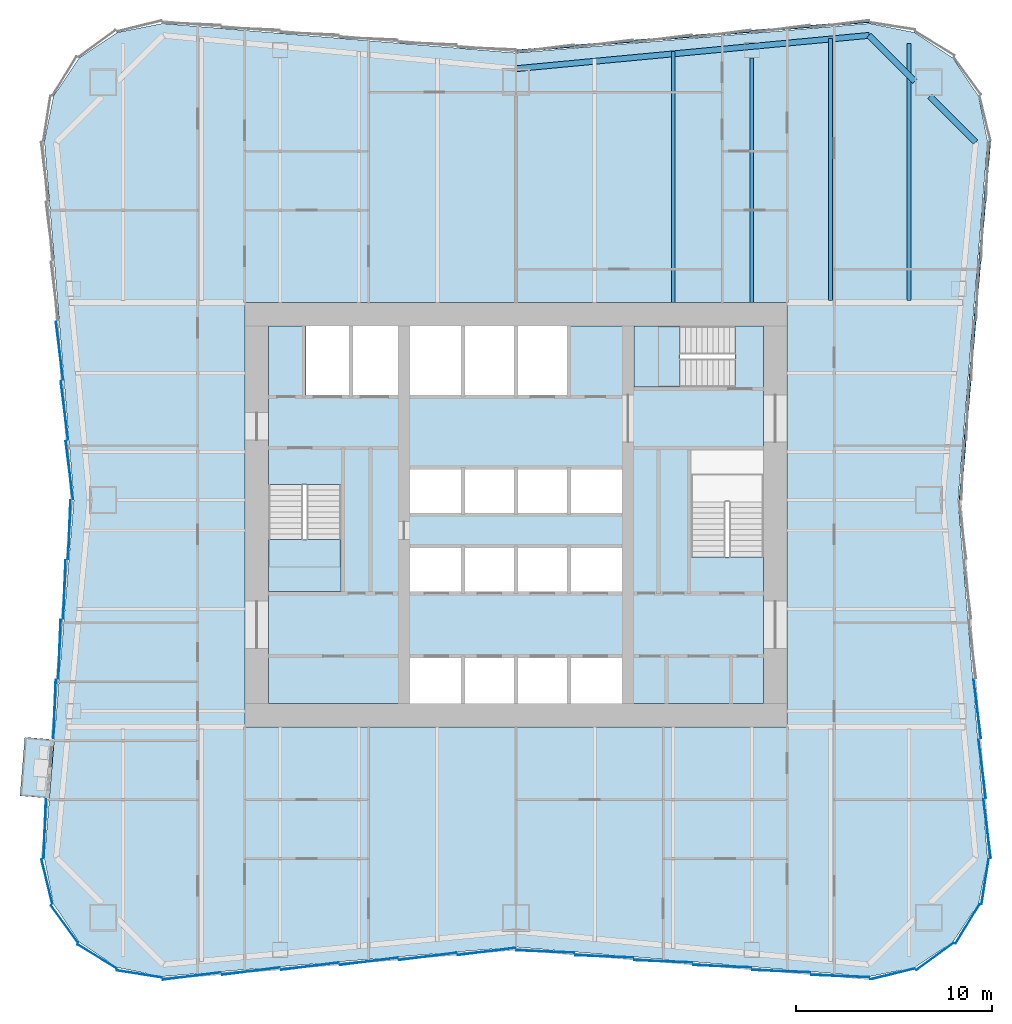
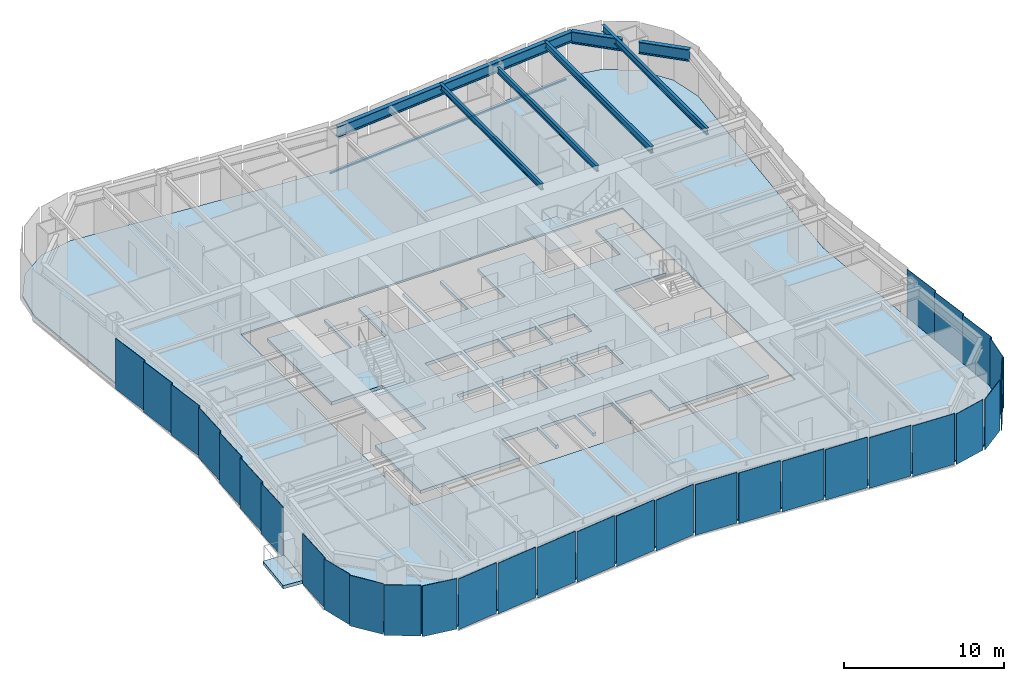
# One storey, part 2 of 9: 31 plates, 7 beams, 5 slabs, 2 members, 8 elements without a shape of their own.
"""IFC4 building model written with IfcOpenShell, lengths in metres."""

from ifc_helpers import new_model, si_unit, direction, frame, origin, origin_2d, place, context, subcontext, project, spatial, polyline, rectangle, i_section, outline, extrude, material, layer, layer_set, material_profile, profile_set, type_object, element, aggregate, save


model = new_model("IFC4")

# Units and contexts
model_context = context("Model", 3, precision=1e-05, world=origin(), true_north=direction((0.0, 1.0)))
body_context = subcontext(model_context, "Body", "Model", "MODEL_VIEW")
ifc_project = project(units=[si_unit("LENGTHUNIT", "METRE"), si_unit("AREAUNIT", "SQUARE_METRE"), si_unit("VOLUMEUNIT", "CUBIC_METRE"), si_unit("PLANEANGLEUNIT", "RADIAN"), si_unit("MASSUNIT", "GRAM", prefix="KILO")], contexts=[model_context])

# Site, building, storey
site_placement = place(None, origin())
site = spatial("IfcSite", under=ifc_project, at=site_placement, CompositionType="ELEMENT")
building_placement = place(site_placement, origin())
building = spatial("IfcBuilding", under=site, at=building_placement, Name="Verdant Reach Tower", CompositionType="ELEMENT")
storey_placement = place(building_placement, frame((0.0, 0.0, 102.0)))
storey = spatial("IfcBuildingStorey", under=building, at=storey_placement, Name="L23", CompositionType="ELEMENT", Elevation=102.0)

# Curtain wall, member
ifc_material_1 = material(Name="Anodised aluminium", Category="aluminium")
curtain_wall_type = type_object("IfcCurtainWallType", Name="EN-CW SYSTEM Z1", PredefinedType="NOTDEFINED", material=ifc_material_1)
curtain_wall_1_placement = place(storey_placement, origin())
curtain_wall_1 = element("IfcCurtainWall", 1, at=curtain_wall_1_placement, inside=storey, type_object=curtain_wall_type, Name="Curtain wall east, L23", PredefinedType="NOTDEFINED")
ifc_material_profile_1 = material_profile(ifc_material_1, rectangle(XDim=0.10009765625, YDim=0.1220703125, at=origin_2d()), Name="Transom 122x100")
ifc_profile_set_1 = profile_set([ifc_material_profile_1], Name="Anodised aluminium")
member_type = type_object("IfcMemberType", Name="EN-TRANSOM Z1", PredefinedType="USERDEFINED", material=ifc_profile_set_1)
member_1_placement = place(storey_placement, frame((22.60546875, 28.781005859375, -0.2890625), z_axis=(0.081886623329, 0.996641651207, 0.0), x_axis=(-0.996641651207, 0.081886623329, 0.0)))
member_1 = element("IfcMember", 2, at=member_1_placement, type_object=member_type, Name="Transom east face part 2 1.1, L23", ObjectType="TRANSOM", PredefinedType="USERDEFINED", context=body_context, shape_type="SweptSolid", body=[
    extrude(rectangle(XDim=0.10009765625, YDim=0.1220703125, at=origin_2d()), origin(), (0.0, 0.0, 1.0), 18.25537109375),
])

curtain_wall_2_placement = place(storey_placement, origin())
curtain_wall_2 = element("IfcCurtainWall", 3, at=curtain_wall_2_placement, inside=storey, type_object=curtain_wall_type, Name="Curtain wall north, L23", PredefinedType="NOTDEFINED")
member_2_placement = place(storey_placement, frame((17.974853515625, 53.100341796875, -0.2890625), z_axis=(-0.996547815143, -0.083020793384, 0.0), x_axis=(0.083020793384, -0.996547815143, 0.0)))
member_2 = element("IfcMember", 4, at=member_2_placement, type_object=member_type, Name="Transom north face part 1 1.1, L23", ObjectType="TRANSOM", PredefinedType="USERDEFINED", context=body_context, shape_type="SweptSolid", body=[
    extrude(rectangle(XDim=0.10009765625, YDim=0.1220703125, at=origin_2d()), origin(), (0.0, 0.0, 1.0), 18.006103515625),
])
aggregate(curtain_wall_2, [member_2])

# Beams
ifc_material_2 = material(Name="Steel S355", Category="steel")
ifc_material_profile_2 = material_profile(ifc_material_2, i_section(OverallWidth=0.18994140625, OverallDepth=0.449951171875, WebThickness=0.009521484375, FlangeThickness=0.0146484375, FilletRadius=0.02099609375, at=origin_2d()), Name="IPE 450")
ifc_profile_set_2 = profile_set([ifc_material_profile_2], Name="Steel S355")
beam_type_1 = type_object("IfcBeamType", Name="ST-JOIST-IPE450", PredefinedType="JOIST", material=ifc_profile_set_2)
beam_1_placement = place(storey_placement, frame((8.0, 38.800048828125, 3.64501953125), z_axis=(0.0, 1.0, 0.0), x_axis=(-1.0, 0.0, 0.0)))
element("IfcBeam", 5, at=beam_1_placement, inside=storey, type_object=beam_type_1, Name="Floor joist, L23", PredefinedType="JOIST", context=body_context, shape_type="SweptSolid", body=[
    extrude(i_section(OverallWidth=0.18994140625, OverallDepth=0.449951171875, WebThickness=0.009521484375, FlangeThickness=0.0146484375, FilletRadius=0.02099609375, at=origin_2d()), origin(), (0.0, 0.0, 1.0), 12.7646484375),
])
beam_2_placement = place(storey_placement, frame((12.0, 38.800048828125, 3.64501953125), z_axis=(0.0, 1.0, 0.0), x_axis=(-1.0, 0.0, 0.0)))
element("IfcBeam", 6, at=beam_2_placement, inside=storey, type_object=beam_type_1, Name="Floor joist, L23", PredefinedType="JOIST", context=body_context, shape_type="SweptSolid", body=[
    extrude(i_section(OverallWidth=0.18994140625, OverallDepth=0.449951171875, WebThickness=0.009521484375, FlangeThickness=0.0146484375, FilletRadius=0.02099609375, at=origin_2d()), origin(), (0.0, 0.0, 1.0), 12.449951171875),
])
ifc_material_profile_3 = material_profile(ifc_material_2, i_section(OverallWidth=0.199951171875, OverallDepth=0.5, WebThickness=0.01025390625, FlangeThickness=0.01611328125, FilletRadius=0.02099609375, at=origin_2d()), Name="IPE 500")
ifc_profile_set_3 = profile_set([ifc_material_profile_3], Name="Steel S355")
beam_type_2 = type_object("IfcBeamType", Name="ST-JOIST-IPE500", PredefinedType="JOIST", material=ifc_profile_set_3)
beam_3_placement = place(storey_placement, frame((16.0, 38.89990234375, 3.6201171875), z_axis=(0.0, 1.0, 0.0), x_axis=(-1.0, 0.0, 0.0)))
element("IfcBeam", 7, at=beam_3_placement, inside=storey, type_object=beam_type_2, Name="Floor joist, L23", PredefinedType="JOIST", context=body_context, shape_type="SweptSolid", body=[
    extrude(i_section(OverallWidth=0.199951171875, OverallDepth=0.5, WebThickness=0.01025390625, FlangeThickness=0.01611328125, FilletRadius=0.02099609375, at=origin_2d()), origin(), (0.0, 0.0, 1.0), 13.331298828125),
])
beam_4_placement = place(storey_placement, frame((20.0, 38.89990234375, 3.6201171875), z_axis=(0.0, 1.0, 0.0), x_axis=(-1.0, 0.0, 0.0)))
element("IfcBeam", 8, at=beam_4_placement, inside=storey, type_object=beam_type_2, Name="Floor joist, L23", PredefinedType="JOIST", context=body_context, shape_type="SweptSolid", body=[
    extrude(i_section(OverallWidth=0.199951171875, OverallDepth=0.5, WebThickness=0.01025390625, FlangeThickness=0.01611328125, FilletRadius=0.02099609375, at=origin_2d()), origin(), (0.0, 0.0, 1.0), 13.090576171875),
])
ifc_material_profile_4 = material_profile(ifc_material_2, i_section(OverallWidth=0.300048828125, OverallDepth=0.800048828125, WebThickness=0.017578125, FlangeThickness=0.032958984375, FilletRadius=0.030029296875, at=origin_2d()), Name="HEB 800")
ifc_profile_set_4 = profile_set([ifc_material_profile_4], Name="Steel S355")
beam_type_3 = type_object("IfcBeamType", Name="ST-SPANDREL-HEB800", PredefinedType="SPANDREL", material=ifc_profile_set_4)
beam_5_placement = place(storey_placement, frame((0.0, 50.699951171875, 3.469970703125), z_axis=(0.995578571765, 0.093932462137, 0.0), x_axis=(-0.093932462137, 0.995578571765, 0.0)))
element("IfcBeam", 9, at=beam_5_placement, inside=storey, type_object=beam_type_3, Name="Edge beam, L23", PredefinedType="SPANDREL", context=body_context, shape_type="SweptSolid", body=[
    extrude(i_section(OverallWidth=0.300048828125, OverallDepth=0.800048828125, WebThickness=0.017578125, FlangeThickness=0.032958984375, FilletRadius=0.030029296875, at=origin_2d()), origin(), (0.0, 0.0, 1.0), 18.045654296875),
])
ifc_material_profile_5 = material_profile(ifc_material_2, i_section(OverallWidth=0.302001953125, OverallDepth=0.909912109375, WebThickness=0.02099609375, FlangeThickness=0.0400390625, FilletRadius=0.030029296875, at=origin_2d()), Name="HEM 900")
ifc_profile_set_5 = profile_set([ifc_material_profile_5], Name="Steel S355")
beam_type_4 = type_object("IfcBeamType", Name="ST-SPANDREL-HEM900", PredefinedType="SPANDREL", material=ifc_profile_set_5)
beam_6_placement = place(storey_placement, frame((17.9658203125, 52.39501953125, 3.4150390625), z_axis=(0.707106781187, -0.707106781187, 0.0), x_axis=(0.707106781187, 0.707106781187, 0.0)))
element("IfcBeam", 10, at=beam_6_placement, inside=storey, type_object=beam_type_4, Name="Edge beam, L23", PredefinedType="SPANDREL", context=body_context, shape_type="SweptSolid", body=[
    extrude(i_section(OverallWidth=0.302001953125, OverallDepth=0.909912109375, WebThickness=0.02099609375, FlangeThickness=0.0400390625, FilletRadius=0.030029296875, at=origin_2d()), origin(), (0.0, 0.0, 1.0), 3.301025390625),
])
beam_7_placement = place(storey_placement, frame((21.060546875, 49.300048828125, 3.4150390625), z_axis=(0.707069807316, -0.707143753123, 0.0), x_axis=(0.707143753123, 0.707069807316, 0.0)))
element("IfcBeam", 11, at=beam_7_placement, inside=storey, type_object=beam_type_4, Name="Edge beam, L23", PredefinedType="SPANDREL", context=body_context, shape_type="SweptSolid", body=[
    extrude(i_section(OverallWidth=0.302001953125, OverallDepth=0.909912109375, WebThickness=0.02099609375, FlangeThickness=0.0400390625, FilletRadius=0.030029296875, at=origin_2d()), origin(), (0.0, 0.0, 1.0), 3.301513671875),
])

# Stair, slab
ifc_material_3 = material(Name="Concrete C40/50", Category="concrete")
stair_type = type_object("IfcStairType", Name="CO-STAIR", PredefinedType="HALF_TURN_STAIR", material=ifc_material_3)
stair_1_placement = place(storey_placement, origin())
stair_1 = element("IfcStair", 12, at=stair_1_placement, inside=storey, type_object=stair_type, Name="L23 Exit stair 1", PredefinedType="HALF_TURN_STAIR")
ifc_layer_1 = layer(ifc_material_3, 0.199951171875)
ifc_layer_set_1 = layer_set([ifc_layer_1], Name="CO-STAIR-LANDING")
slab_type_1 = type_object("IfcSlabType", Name="CO-STAIR-LANDING", PredefinedType="LANDING", material=ifc_layer_set_1)
slab_1_placement = place(storey_placement, frame((0.0, 0.0, 1.800048828125)))
slab_1 = element("IfcSlab", 13, at=slab_1_placement, type_object=slab_type_1, Name="ST-1 landing 1", PredefinedType="LANDING", context=body_context, shape_type="SweptSolid", body=[
    extrude(outline(polyline([(-12.60009765625, 26.75), (-12.60009765625, 24.10009765625), (-8.89990234375, 24.10009765625), (-8.89990234375, 26.75), (-12.60009765625, 26.75)])), origin(), (0.0, 0.0, 1.0), 0.199951171875),
])
aggregate(stair_1, [slab_1])

stair_2_placement = place(storey_placement, origin())
stair_2 = element("IfcStair", 14, at=stair_2_placement, inside=storey, type_object=stair_type, Name="L23 Exit stair 3", PredefinedType="HALF_TURN_STAIR")
slab_2_placement = place(storey_placement, frame((0.0, 0.0, 1.800048828125)))
slab_2 = element("IfcSlab", 15, at=slab_2_placement, type_object=slab_type_1, Name="ST-3 landing 1", PredefinedType="LANDING", context=body_context, shape_type="SweptSolid", body=[
    extrude(outline(polyline([(8.35009765625, 37.60009765625), (6.0, 37.60009765625), (6.0, 34.5), (8.35009765625, 34.5), (8.35009765625, 37.60009765625)])), origin(), (0.0, 0.0, 1.0), 0.199951171875),
])
aggregate(stair_2, [slab_2])

# Slab
ifc_material_4 = material(Name="Concrete C35/45", Category="concrete")
ifc_layer_2 = layer(ifc_material_4, 0.25)
ifc_layer_set_2 = layer_set([ifc_layer_2], Name="EN-BALCONY SLAB")
slab_type_2 = type_object("IfcSlabType", Name="EN-BALCONY SLAB", PredefinedType="FLOOR", material=ifc_layer_set_2)
slab_3_placement = place(storey_placement, frame((0.0, 0.0, -0.25)))
element("IfcSlab", 16, at=slab_3_placement, inside=storey, type_object=slab_type_2, Name="Balcony slab 1, L23", PredefinedType="FLOOR", context=body_context, shape_type="SweptSolid", body=[
    extrude(outline(polyline([(-23.50244140625, 16.552490234375), (-23.74755859375, 13.572509765625), (-25.242431640625, 13.695556640625), (-24.99755859375, 16.67529296875), (-23.50244140625, 16.552490234375)])), origin(), (0.0, 0.0, 1.0), 0.25),
])

# Curtain wall, plates
curtain_wall_3_placement = place(storey_placement, origin())
curtain_wall_3 = element("IfcCurtainWall", 17, at=curtain_wall_3_placement, inside=storey, type_object=curtain_wall_type, Name="Curtain wall west, L23", PredefinedType="NOTDEFINED")
ifc_material_5 = material(Name="Tinted glass with champagne spandrel", Category="glass")
ifc_layer_3 = layer(ifc_material_5, 0.031982421875)
ifc_layer_set_3 = layer_set([ifc_layer_3], Name="EN-PANEL CHAMPAGNE")
plate_type_1 = type_object("IfcPlateType", Name="EN-PANEL CHAMPAGNE", PredefinedType="CURTAIN_PANEL", material=ifc_layer_set_3)
plate_1_placement = place(storey_placement, frame((-22.9775390625, 24.196044921875, -0.22802734375), z_axis=(0.0, 0.0, 1.0), x_axis=(-0.040108781752, -0.999195319057, 0.0)))
plate_1 = element("IfcPlate", 18, at=plate_1_placement, type_object=plate_type_1, Name="Glass panel west face part 2 2.1, L23", PredefinedType="CURTAIN_PANEL", context=body_context, shape_type="SweptSolid", body=[
    extrude(rectangle(XDim=2.993896484375, YDim=0.031982421875, at=origin_2d()), origin(), (0.0, 0.0, 1.0), 3.8779296875),
])
plate_2_placement = place(storey_placement, frame((-23.2275390625, 21.154296875, -0.22802734375), z_axis=(0.0, 0.0, 1.0), x_axis=(-0.040108781752, -0.999195319057, 0.0)))
plate_2 = element("IfcPlate", 19, at=plate_2_placement, type_object=plate_type_1, Name="Glass panel west face part 2 3.1, L23", PredefinedType="CURTAIN_PANEL", context=body_context, shape_type="SweptSolid", body=[
    extrude(rectangle(XDim=2.993896484375, YDim=0.031982421875, at=origin_2d()), origin(), (0.0, 0.0, 1.0), 3.8779296875),
])

curtain_wall_4_placement = place(storey_placement, origin())
curtain_wall_4 = element("IfcCurtainWall", 20, at=curtain_wall_4_placement, inside=storey, type_object=curtain_wall_type, Name="Curtain wall south-west corner, L23", PredefinedType="NOTDEFINED")
plate_3_placement = place(storey_placement, frame((-23.87060546875, 9.329345703125, -0.22802734375), z_axis=(0.0, 0.0, 1.0), x_axis=(0.236383344544, -0.971659875894, 0.0)))
plate_3 = element("IfcPlate", 21, at=plate_3_placement, type_object=plate_type_1, Name="Glass panel south-west corner 1.1, L23", PredefinedType="CURTAIN_PANEL", context=body_context, shape_type="SweptSolid", body=[
    extrude(rectangle(XDim=2.3173828125, YDim=0.031982421875, at=origin_2d()), origin(), (0.0, 0.0, 1.0), 3.8779296875),
])
plate_4_placement = place(storey_placement, frame((-22.97705078125, 7.174560546875, -0.22802734375), z_axis=(0.0, 0.0, 1.0), x_axis=(0.589926768145, -0.807456753161, 0.0)))
plate_4 = element("IfcPlate", 22, at=plate_4_placement, type_object=plate_type_1, Name="Glass panel south-west corner 2.1, L23", PredefinedType="CURTAIN_PANEL", context=body_context, shape_type="SweptSolid", body=[
    extrude(rectangle(XDim=2.3232421875, YDim=0.031982421875, at=origin_2d()), origin(), (0.0, 0.0, 1.0), 3.8779296875),
])

curtain_wall_5_placement = place(storey_placement, origin())
curtain_wall_5 = element("IfcCurtainWall", 23, at=curtain_wall_5_placement, inside=storey, type_object=curtain_wall_type, Name="Curtain wall south, L23", PredefinedType="NOTDEFINED")
plate_5_placement = place(storey_placement, frame((-1.49560546875, 5.772216796875, -0.22802734375), z_axis=(0.0, 0.0, 1.0), x_axis=(0.992179247355, 0.124821236644, 0.0)))
plate_5 = element("IfcPlate", 24, at=plate_5_placement, type_object=plate_type_1, Name="Glass panel south face part 1 6.1, L23", PredefinedType="CURTAIN_PANEL", context=body_context, shape_type="SweptSolid", body=[
    extrude(rectangle(XDim=2.94384765625, YDim=0.031982421875, at=origin_2d()), origin(), (0.0, 0.0, 1.0), 3.8779296875),
])
plate_6_placement = place(storey_placement, frame((1.49560546875, 5.772216796875, -0.22802734375), z_axis=(0.0, 0.0, 1.0), x_axis=(0.99914430697, -0.041360051381, 0.0)))
plate_6 = element("IfcPlate", 25, at=plate_6_placement, type_object=plate_type_1, Name="Glass panel south face part 2 1.1, L23", PredefinedType="CURTAIN_PANEL", context=body_context, shape_type="SweptSolid", body=[
    extrude(rectangle(XDim=2.94384765625, YDim=0.031982421875, at=origin_2d()), origin(), (0.0, 0.0, 1.0), 3.8779296875),
])

curtain_wall_6_placement = place(storey_placement, origin())
curtain_wall_6 = element("IfcCurtainWall", 26, at=curtain_wall_6_placement, inside=storey, type_object=curtain_wall_type, Name="Curtain wall south-east corner, L23", PredefinedType="NOTDEFINED")
ifc_material_6 = material(Name="Tinted glass with copper spandrel", Category="glass")
ifc_layer_4 = layer(ifc_material_6, 0.031982421875)
ifc_layer_set_4 = layer_set([ifc_layer_4], Name="EN-PANEL COPPER")
plate_type_2 = type_object("IfcPlateType", Name="EN-PANEL COPPER", PredefinedType="CURTAIN_PANEL", material=ifc_layer_set_4)
plate_7_placement = place(storey_placement, frame((19.170654296875, 4.62939453125, -0.22802734375), z_axis=(0.0, 0.0, 1.0), x_axis=(0.971660685934, 0.236380014828, 0.0)))
plate_7 = element("IfcPlate", 27, at=plate_7_placement, type_object=plate_type_2, Name="Glass panel south-east corner 1.1, L23", PredefinedType="CURTAIN_PANEL", context=body_context, shape_type="SweptSolid", body=[
    extrude(rectangle(XDim=2.317626953125, YDim=0.031982421875, at=origin_2d()), origin(), (0.0, 0.0, 1.0), 3.8779296875),
])
plate_8_placement = place(storey_placement, frame((21.325439453125, 5.52294921875, -0.22802734375), z_axis=(0.0, 0.0, 1.0), x_axis=(0.807456753161, 0.589926768145, 0.0)))
plate_8 = element("IfcPlate", 28, at=plate_8_placement, type_object=plate_type_2, Name="Glass panel south-east corner 2.1, L23", PredefinedType="CURTAIN_PANEL", context=body_context, shape_type="SweptSolid", body=[
    extrude(rectangle(XDim=2.3232421875, YDim=0.031982421875, at=origin_2d()), origin(), (0.0, 0.0, 1.0), 3.8779296875),
])

# Plate
plate_9_placement = place(storey_placement, frame((-23.2275390625, 36.345703125, -0.22802734375), z_axis=(0.0, 0.0, 1.0), x_axis=(0.123578623975, -0.992334784081, 0.0)))
plate_9 = element("IfcPlate", 29, at=plate_9_placement, type_object=plate_type_2, Name="Glass panel west face part 1 4.1, L23", PredefinedType="CURTAIN_PANEL", context=body_context, shape_type="SweptSolid", body=[
    extrude(rectangle(XDim=2.993896484375, YDim=0.031982421875, at=origin_2d()), origin(), (0.0, 0.0, 1.0), 3.8779296875),
])

plate_10_placement = place(storey_placement, frame((-23.4775390625, 18.112548828125, -0.22802734375), z_axis=(0.0, 0.0, 1.0), x_axis=(-0.040108781752, -0.999195319057, 0.0)))
plate_10 = element("IfcPlate", 30, at=plate_10_placement, type_object=plate_type_2, Name="Glass panel west face part 2 4.1, L23", PredefinedType="CURTAIN_PANEL", context=body_context, shape_type="SweptSolid", body=[
    extrude(rectangle(XDim=2.993896484375, YDim=0.031982421875, at=origin_2d()), origin(), (0.0, 0.0, 1.0), 3.8779296875),
])

plate_11_placement = place(storey_placement, frame((-23.977783203125, 12.022216796875, -0.22802734375), z_axis=(0.0, 0.0, 1.0), x_axis=(-0.039784239139, -0.999208293759, 0.0)))
plate_11 = element("IfcPlate", 31, at=plate_11_placement, type_object=plate_type_2, Name="Glass panel west face part 2 6.1, L23", PredefinedType="CURTAIN_PANEL", context=body_context, shape_type="SweptSolid", body=[
    extrude(rectangle(XDim=3.00830078125, YDim=0.031982421875, at=origin_2d()), origin(), (0.0, 0.0, 1.0), 3.8779296875),
])

plate_12_placement = place(storey_placement, frame((-21.325439453125, 5.52294921875, -0.22802734375), z_axis=(0.0, 0.0, 1.0), x_axis=(0.85398868836, -0.520291572248, 0.0)))
plate_12 = element("IfcPlate", 32, at=plate_12_placement, type_object=plate_type_2, Name="Glass panel south-west corner 3.1, L23", PredefinedType="CURTAIN_PANEL", context=body_context, shape_type="SweptSolid", body=[
    extrude(rectangle(XDim=2.3232421875, YDim=0.031982421875, at=origin_2d()), origin(), (0.0, 0.0, 1.0), 3.8779296875),
])

plate_13_placement = place(storey_placement, frame((-19.170654296875, 4.62939453125, -0.22802734375), z_axis=(0.0, 0.0, 1.0), x_axis=(0.988032704995, -0.154244526195, 0.0)))
plate_13 = element("IfcPlate", 33, at=plate_13_placement, type_object=plate_type_2, Name="Glass panel south-west corner 4.1, L23", PredefinedType="CURTAIN_PANEL", context=body_context, shape_type="SweptSolid", body=[
    extrude(rectangle(XDim=2.317626953125, YDim=0.031982421875, at=origin_2d()), origin(), (0.0, 0.0, 1.0), 3.8779296875),
])

aggregate(curtain_wall_4, [plate_3, plate_4, plate_12, plate_13])

plate_14_placement = place(storey_placement, frame((-16.49853515625, 4.522216796875, -0.22802734375), z_axis=(0.0, 0.0, 1.0), x_axis=(0.99223537376, 0.124374286167, 0.0)))
plate_14 = element("IfcPlate", 34, at=plate_14_placement, type_object=plate_type_2, Name="Glass panel south face part 1 1.1, L23", PredefinedType="CURTAIN_PANEL", context=body_context, shape_type="SweptSolid", body=[
    extrude(rectangle(XDim=2.966796875, YDim=0.031982421875, at=origin_2d()), origin(), (0.0, 0.0, 1.0), 3.8779296875),
])

plate_15_placement = place(storey_placement, frame((-13.491455078125, 4.7724609375, -0.22802734375), z_axis=(0.0, 0.0, 1.0), x_axis=(0.992194034542, 0.124703639961, 0.0)))
plate_15 = element("IfcPlate", 35, at=plate_15_placement, type_object=plate_type_2, Name="Glass panel south face part 1 2.1, L23", PredefinedType="CURTAIN_PANEL", context=body_context, shape_type="SweptSolid", body=[
    extrude(rectangle(XDim=2.952392578125, YDim=0.031982421875, at=origin_2d()), origin(), (0.0, 0.0, 1.0), 3.8779296875),
])

plate_16_placement = place(storey_placement, frame((4.491455078125, 5.5224609375, -0.22802734375), z_axis=(0.0, 0.0, 1.0), x_axis=(0.999149202059, -0.041241629766, 0.0)))
plate_16 = element("IfcPlate", 36, at=plate_16_placement, type_object=plate_type_2, Name="Glass panel south face part 2 2.1, L23", PredefinedType="CURTAIN_PANEL", context=body_context, shape_type="SweptSolid", body=[
    extrude(rectangle(XDim=2.952392578125, YDim=0.031982421875, at=origin_2d()), origin(), (0.0, 0.0, 1.0), 3.8779296875),
])

plate_17_placement = place(storey_placement, frame((7.491455078125, 5.2724609375, -0.22802734375), z_axis=(0.0, 0.0, 1.0), x_axis=(0.999149202059, -0.041241629766, 0.0)))
plate_17 = element("IfcPlate", 37, at=plate_17_placement, type_object=plate_type_2, Name="Glass panel south face part 2 3.1, L23", PredefinedType="CURTAIN_PANEL", context=body_context, shape_type="SweptSolid", body=[
    extrude(rectangle(XDim=2.952392578125, YDim=0.031982421875, at=origin_2d()), origin(), (0.0, 0.0, 1.0), 3.8779296875),
])

plate_18_placement = place(storey_placement, frame((10.491455078125, 5.0224609375, -0.22802734375), z_axis=(0.0, 0.0, 1.0), x_axis=(0.999149202059, -0.041241629766, 0.0)))
plate_18 = element("IfcPlate", 38, at=plate_18_placement, type_object=plate_type_2, Name="Glass panel south face part 2 4.1, L23", PredefinedType="CURTAIN_PANEL", context=body_context, shape_type="SweptSolid", body=[
    extrude(rectangle(XDim=2.952392578125, YDim=0.031982421875, at=origin_2d()), origin(), (0.0, 0.0, 1.0), 3.8779296875),
])

ifc_material_7 = material(Name="Tinted glass with dark bronze spandrel", Category="glass")
ifc_layer_5 = layer(ifc_material_7, 0.031982421875)
ifc_layer_set_5 = layer_set([ifc_layer_5], Name="EN-PANEL DARK")
plate_type_3 = type_object("IfcPlateType", Name="EN-PANEL DARK", PredefinedType="CURTAIN_PANEL", material=ifc_layer_set_5)
plate_19_placement = place(storey_placement, frame((22.97705078125, 7.174560546875, -0.22802734375), z_axis=(0.0, 0.0, 1.0), x_axis=(0.520291572248, 0.85398868836, 0.0)))
plate_19 = element("IfcPlate", 39, at=plate_19_placement, type_object=plate_type_3, Name="Glass panel south-east corner 3.1, L23", PredefinedType="CURTAIN_PANEL", context=body_context, shape_type="SweptSolid", body=[
    extrude(rectangle(XDim=2.3232421875, YDim=0.031982421875, at=origin_2d()), origin(), (0.0, 0.0, 1.0), 3.8779296875),
])

plate_20_placement = place(storey_placement, frame((23.87060546875, 9.329345703125, -0.22802734375), z_axis=(0.0, 0.0, 1.0), x_axis=(0.154247912016, 0.988032176419, 0.0)))
plate_20 = element("IfcPlate", 40, at=plate_20_placement, type_object=plate_type_3, Name="Glass panel south-east corner 4.1, L23", PredefinedType="CURTAIN_PANEL", context=body_context, shape_type="SweptSolid", body=[
    extrude(rectangle(XDim=2.3173828125, YDim=0.031982421875, at=origin_2d()), origin(), (0.0, 0.0, 1.0), 3.8779296875),
])

aggregate(curtain_wall_6, [plate_7, plate_8, plate_19, plate_20])

plate_21_placement = place(storey_placement, frame((23.977783203125, 12.022216796875, -0.22802734375), z_axis=(0.0, 0.0, 1.0), x_axis=(-0.123256305275, 0.992374870304, 0.0)))
plate_21 = element("IfcPlate", 41, at=plate_21_placement, type_object=plate_type_3, Name="Glass panel east face part 1 1.1, L23", PredefinedType="CURTAIN_PANEL", context=body_context, shape_type="SweptSolid", body=[
    extrude(rectangle(XDim=3.00830078125, YDim=0.031982421875, at=origin_2d()), origin(), (0.0, 0.0, 1.0), 3.8779296875),
])

plate_22_placement = place(storey_placement, frame((23.7275390625, 15.071044921875, -0.22802734375), z_axis=(0.0, 0.0, 1.0), x_axis=(-0.123578623975, 0.992334784081, 0.0)))
plate_22 = element("IfcPlate", 42, at=plate_22_placement, type_object=plate_type_3, Name="Glass panel east face part 1 2.1, L23", PredefinedType="CURTAIN_PANEL", context=body_context, shape_type="SweptSolid", body=[
    extrude(rectangle(XDim=2.993896484375, YDim=0.031982421875, at=origin_2d()), origin(), (0.0, 0.0, 1.0), 3.8779296875),
])

plate_23_placement = place(storey_placement, frame((23.4775390625, 18.112548828125, -0.22802734375), z_axis=(0.0, 0.0, 1.0), x_axis=(-0.123578623975, 0.992334784081, 0.0)))
plate_23 = element("IfcPlate", 43, at=plate_23_placement, type_object=plate_type_3, Name="Glass panel east face part 1 3.1, L23", PredefinedType="CURTAIN_PANEL", context=body_context, shape_type="SweptSolid", body=[
    extrude(rectangle(XDim=2.993896484375, YDim=0.031982421875, at=origin_2d()), origin(), (0.0, 0.0, 1.0), 3.8779296875),
])

aggregate(curtain_wall_1, [plate_21, plate_22, plate_23, member_1])

plate_24_placement = place(storey_placement, frame((-22.9775390625, 33.303955078125, -0.22802734375), z_axis=(0.0, 0.0, 1.0), x_axis=(0.123578623975, -0.992334784081, 0.0)))
plate_24 = element("IfcPlate", 44, at=plate_24_placement, type_object=plate_type_3, Name="Glass panel west face part 1 5.1, L23", PredefinedType="CURTAIN_PANEL", context=body_context, shape_type="SweptSolid", body=[
    extrude(rectangle(XDim=2.993896484375, YDim=0.031982421875, at=origin_2d()), origin(), (0.0, 0.0, 1.0), 3.8779296875),
])

plate_25_placement = place(storey_placement, frame((-22.727783203125, 30.2666015625, -0.22802734375), z_axis=(0.0, 0.0, 1.0), x_axis=(0.123691487663, -0.992320722287, 0.0)))
plate_25 = element("IfcPlate", 45, at=plate_25_placement, type_object=plate_type_3, Name="Glass panel west face part 1 6.1, L23", PredefinedType="CURTAIN_PANEL", context=body_context, shape_type="SweptSolid", body=[
    extrude(rectangle(XDim=2.985595703125, YDim=0.031982421875, at=origin_2d()), origin(), (0.0, 0.0, 1.0), 3.8779296875),
])

plate_26_placement = place(storey_placement, frame((-22.727783203125, 27.2333984375, -0.22802734375), z_axis=(0.0, 0.0, 1.0), x_axis=(-0.040222426271, -0.99919075077, 0.0)))
plate_26 = element("IfcPlate", 46, at=plate_26_placement, type_object=plate_type_3, Name="Glass panel west face part 2 1.1, L23", PredefinedType="CURTAIN_PANEL", context=body_context, shape_type="SweptSolid", body=[
    extrude(rectangle(XDim=2.985595703125, YDim=0.031982421875, at=origin_2d()), origin(), (0.0, 0.0, 1.0), 3.8779296875),
])

aggregate(curtain_wall_3, [plate_9, plate_24, plate_25, plate_26, plate_1, plate_2, plate_10, plate_11])

plate_27_placement = place(storey_placement, frame((-10.491455078125, 5.0224609375, -0.22802734375), z_axis=(0.0, 0.0, 1.0), x_axis=(0.992194034542, 0.124703639961, 0.0)))
plate_27 = element("IfcPlate", 47, at=plate_27_placement, type_object=plate_type_3, Name="Glass panel south face part 1 3.1, L23", PredefinedType="CURTAIN_PANEL", context=body_context, shape_type="SweptSolid", body=[
    extrude(rectangle(XDim=2.952392578125, YDim=0.031982421875, at=origin_2d()), origin(), (0.0, 0.0, 1.0), 3.8779296875),
])

plate_28_placement = place(storey_placement, frame((-7.491455078125, 5.2724609375, -0.22802734375), z_axis=(0.0, 0.0, 1.0), x_axis=(0.992194034542, 0.124703639961, 0.0)))
plate_28 = element("IfcPlate", 48, at=plate_28_placement, type_object=plate_type_3, Name="Glass panel south face part 1 4.1, L23", PredefinedType="CURTAIN_PANEL", context=body_context, shape_type="SweptSolid", body=[
    extrude(rectangle(XDim=2.952392578125, YDim=0.031982421875, at=origin_2d()), origin(), (0.0, 0.0, 1.0), 3.8779296875),
])

plate_29_placement = place(storey_placement, frame((-4.491455078125, 5.5224609375, -0.22802734375), z_axis=(0.0, 0.0, 1.0), x_axis=(0.992194034542, 0.124703639961, 0.0)))
plate_29 = element("IfcPlate", 49, at=plate_29_placement, type_object=plate_type_3, Name="Glass panel south face part 1 5.1, L23", PredefinedType="CURTAIN_PANEL", context=body_context, shape_type="SweptSolid", body=[
    extrude(rectangle(XDim=2.952392578125, YDim=0.031982421875, at=origin_2d()), origin(), (0.0, 0.0, 1.0), 3.8779296875),
])

plate_30_placement = place(storey_placement, frame((13.491455078125, 4.7724609375, -0.22802734375), z_axis=(0.0, 0.0, 1.0), x_axis=(0.999149202059, -0.041241629766, 0.0)))
plate_30 = element("IfcPlate", 50, at=plate_30_placement, type_object=plate_type_3, Name="Glass panel south face part 2 5.1, L23", PredefinedType="CURTAIN_PANEL", context=body_context, shape_type="SweptSolid", body=[
    extrude(rectangle(XDim=2.952392578125, YDim=0.031982421875, at=origin_2d()), origin(), (0.0, 0.0, 1.0), 3.8779296875),
])

plate_31_placement = place(storey_placement, frame((16.49853515625, 4.522216796875, -0.22802734375), z_axis=(0.0, 0.0, 1.0), x_axis=(0.999162836679, -0.040909971885, 0.0)))
plate_31 = element("IfcPlate", 51, at=plate_31_placement, type_object=plate_type_3, Name="Glass panel south face part 2 6.1, L23", PredefinedType="CURTAIN_PANEL", context=body_context, shape_type="SweptSolid", body=[
    extrude(rectangle(XDim=2.966796875, YDim=0.031982421875, at=origin_2d()), origin(), (0.0, 0.0, 1.0), 3.8779296875),
])

aggregate(curtain_wall_5, [plate_14, plate_15, plate_27, plate_28, plate_29, plate_5, plate_6, plate_16, plate_17, plate_18, plate_30, plate_31])

# Slabs
ifc_material_8 = material(Name="Concrete C35/45", Category="concrete")
ifc_layer_6 = layer(ifc_material_8, 0.1298828125)
ifc_layer_set_6 = layer_set([ifc_layer_6], Name="ST-SLAB-130")
slab_type_3 = type_object("IfcSlabType", Name="ST-SLAB-130", PredefinedType="FLOOR", material=ifc_layer_set_6)
slab_4_placement = place(storey_placement, frame((0.0, 0.0, -0.1298828125)))
element("IfcSlab", 52, at=slab_4_placement, inside=storey, type_object=slab_type_3, Name="Floor slab L23", PredefinedType="FLOOR", context=body_context, shape_type="SweptSolid", body=[
    extrude(outline(polyline([(0.0, 6.0), (-18.0, 4.5), (-20.296142578125, 4.956787109375), (-22.24267578125, 6.25732421875), (-23.543212890625, 8.203857421875), (-24.0, 10.5), (-22.5, 28.75), (-24.0, 47.0), (-23.543212890625, 49.296142578125), (-22.24267578125, 51.24267578125), (-20.296142578125, 52.543212890625), (-18.0, 53.0), (0.0, 51.5), (18.0, 53.0), (20.296142578125, 52.543212890625), (22.24267578125, 51.24267578125), (23.543212890625, 49.296142578125), (24.0, 47.0), (22.5, 28.75), (24.0, 10.5), (23.543212890625, 8.203857421875), (22.24267578125, 6.25732421875), (20.296142578125, 4.956787109375), (18.0, 4.5), (0.0, 6.0)]), holes=[polyline([(13.800048828125, 38.800048828125), (-13.800048828125, 38.800048828125), (-13.800048828125, 17.199951171875), (13.800048828125, 17.199951171875), (13.800048828125, 38.800048828125)])]), origin(), (0.0, 0.0, 1.0), 0.1298828125),
])
ifc_layer_7 = layer(ifc_material_8, 0.25)
ifc_layer_set_7 = layer_set([ifc_layer_7], Name="ST-SLAB-250")
slab_type_4 = type_object("IfcSlabType", Name="ST-SLAB-250", PredefinedType="FLOOR", material=ifc_layer_set_7)
slab_5_placement = place(storey_placement, frame((0.0, 0.0, -0.25)))
element("IfcSlab", 53, at=slab_5_placement, inside=storey, type_object=slab_type_4, Name="Core floor slab L23", PredefinedType="FLOOR", context=body_context, shape_type="SweptSolid", body=[
    extrude(outline(polyline([(12.60009765625, 18.39990234375), (5.39990234375, 18.39990234375), (5.39990234375, 20.699951171875), (2.800048828125, 20.699951171875), (2.800048828125, 18.39990234375), (2.60009765625, 18.39990234375), (2.60009765625, 20.699951171875), (0.10009765625, 20.699951171875), (0.10009765625, 18.39990234375), (-0.10009765625, 18.39990234375), (-0.10009765625, 20.699951171875), (-2.60009765625, 20.699951171875), (-2.60009765625, 18.39990234375), (-2.800048828125, 18.39990234375), (-2.800048828125, 20.699951171875), (-5.39990234375, 20.699951171875), (-5.39990234375, 18.39990234375), (-12.60009765625, 18.39990234375), (-12.60009765625, 24.10009765625), (-8.89990234375, 24.10009765625), (-8.89990234375, 29.548095703125), (-12.60009765625, 29.548095703125), (-12.60009765625, 37.60009765625), (-10.699951171875, 37.60009765625), (-10.699951171875, 34.10009765625), (-8.5, 34.10009765625), (-8.5, 37.60009765625), (-8.300048828125, 37.60009765625), (-8.300048828125, 34.10009765625), (-6.0, 34.10009765625), (-6.0, 37.60009765625), (-5.39990234375, 37.60009765625), (-5.39990234375, 34.10009765625), (-2.800048828125, 34.10009765625), (-2.800048828125, 37.60009765625), (-2.60009765625, 37.60009765625), (-2.60009765625, 34.10009765625), (-0.10009765625, 34.10009765625), (-0.10009765625, 37.60009765625), (0.10009765625, 37.60009765625), (0.10009765625, 34.10009765625), (2.60009765625, 34.10009765625), (2.60009765625, 37.60009765625), (6.0, 37.60009765625), (6.0, 34.5), (11.14794921875, 34.5), (11.14794921875, 37.60009765625), (12.60009765625, 37.60009765625), (12.60009765625, 31.300048828125), (8.89990234375, 31.300048828125), (8.89990234375, 25.85205078125), (12.60009765625, 25.85205078125), (12.60009765625, 18.39990234375)]), holes=[polyline([(-2.800048828125, 24.10009765625), (-2.800048828125, 26.300048828125), (-5.39990234375, 26.300048828125), (-5.39990234375, 24.10009765625), (-2.800048828125, 24.10009765625)]), polyline([(-2.60009765625, 24.10009765625), (-0.10009765625, 24.10009765625), (-0.10009765625, 26.300048828125), (-2.60009765625, 26.300048828125), (-2.60009765625, 24.10009765625)]), polyline([(-2.800048828125, 28.10009765625), (-2.800048828125, 30.300048828125), (-5.39990234375, 30.300048828125), (-5.39990234375, 28.10009765625), (-2.800048828125, 28.10009765625)]), polyline([(-0.10009765625, 28.10009765625), (-0.10009765625, 30.300048828125), (-2.60009765625, 30.300048828125), (-2.60009765625, 28.10009765625), (-0.10009765625, 28.10009765625)]), polyline([(2.60009765625, 24.10009765625), (2.60009765625, 26.300048828125), (0.10009765625, 26.300048828125), (0.10009765625, 24.10009765625), (2.60009765625, 24.10009765625)]), polyline([(2.800048828125, 24.10009765625), (5.39990234375, 24.10009765625), (5.39990234375, 26.300048828125), (2.800048828125, 26.300048828125), (2.800048828125, 24.10009765625)]), polyline([(2.60009765625, 28.10009765625), (2.60009765625, 30.300048828125), (0.10009765625, 30.300048828125), (0.10009765625, 28.10009765625), (2.60009765625, 28.10009765625)]), polyline([(5.39990234375, 28.10009765625), (5.39990234375, 30.300048828125), (2.800048828125, 30.300048828125), (2.800048828125, 28.10009765625), (5.39990234375, 28.10009765625)])]), origin(), (0.0, 0.0, 1.0), 0.25),
])

save(model, "model.ifc")
